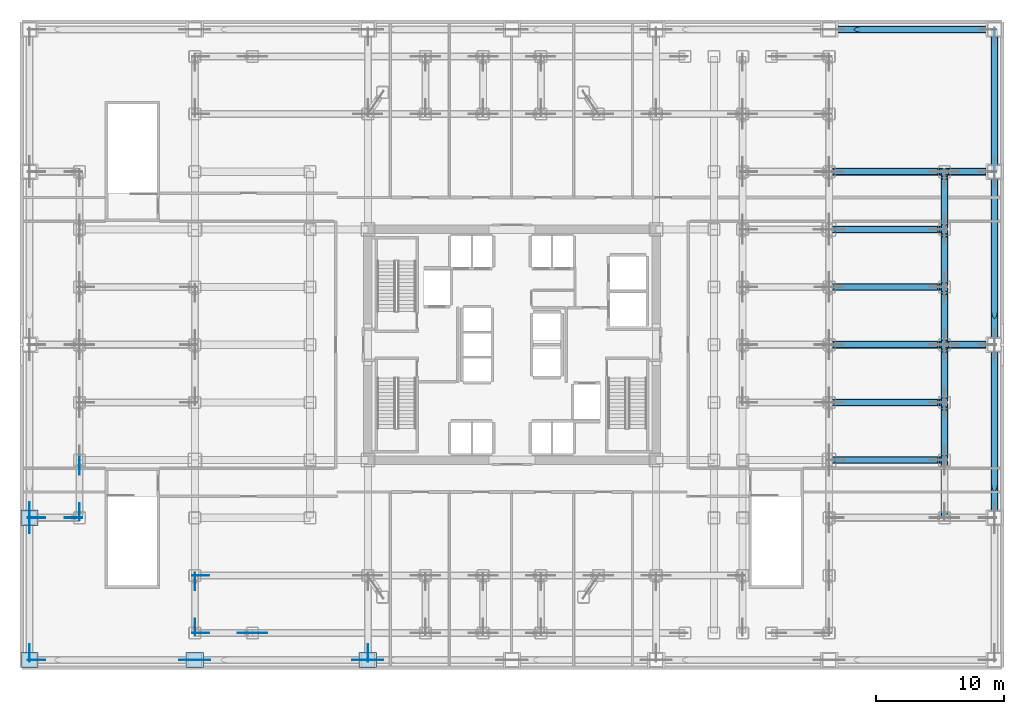
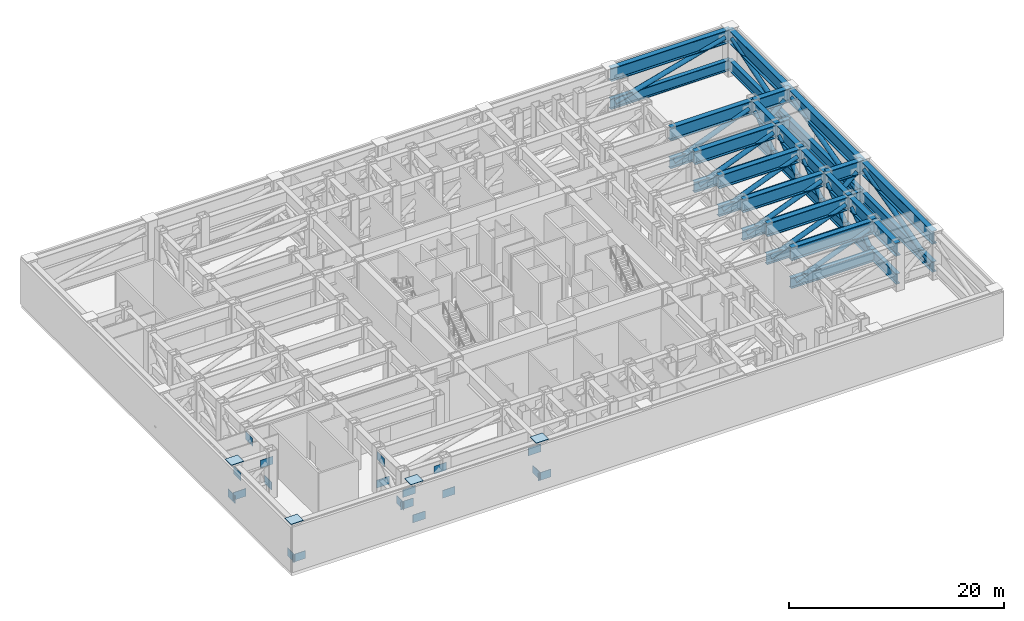
# One storey, part 5 of 17: 36 beams, 23 plates, 17 members.
"""IFC4 building model written with IfcOpenShell, lengths in metres."""

from ifc_helpers import new_model, si_unit, direction, frame, origin, origin_2d, place, context, subcontext, project, spatial, rectangle, hollow_circle, i_section, extrude, source, transform, mapped, material, layer, layer_set, material_profile, profile_set, type_object, element, save


model = new_model("IFC4")

# Units and contexts
model_context = context("Model", 3, precision=1e-05, world=origin(), true_north=direction((0.0, 1.0)))
body_context = subcontext(model_context, "Body", "Model", "MODEL_VIEW")
ifc_project = project(units=[si_unit("LENGTHUNIT", "METRE"), si_unit("AREAUNIT", "SQUARE_METRE"), si_unit("VOLUMEUNIT", "CUBIC_METRE"), si_unit("PLANEANGLEUNIT", "RADIAN"), si_unit("MASSUNIT", "GRAM", prefix="KILO")], contexts=[model_context])

# Site, building, storey
site_placement = place(None, origin())
site = spatial("IfcSite", under=ifc_project, at=site_placement, CompositionType="ELEMENT")
building_placement = place(site_placement, origin())
building = spatial("IfcBuilding", under=site, at=building_placement, Name="Nefas-Gora Pilgrimage Tower", CompositionType="ELEMENT")
storey_placement = place(building_placement, frame((0.0, 0.0, 27.60009765625)))
storey = spatial("IfcBuildingStorey", under=building, at=storey_placement, Name="L05", CompositionType="ELEMENT", Elevation=27.60009765625)

# Beams
ifc_material = material(Name="Steel S460", Category="steel")
ifc_material_profile_1 = material_profile(ifc_material, i_section(OverallWidth=0.550048828125, OverallDepth=1.5, WebThickness=0.031982421875, FlangeThickness=0.06005859375, FilletRadius=0.02392578125, at=origin_2d()), Name="WPG 1500x550x32x60")
ifc_profile_set_1 = profile_set([ifc_material_profile_1], Name="Steel S460")
beam_type_1 = type_object("IfcBeamType", Name="BM-TR-1500", PredefinedType="BEAM", material=ifc_profile_set_1)
shared_shape_1 = source(origin(), body_context, "Body", "SweptSolid", [
    extrude(i_section(OverallWidth=0.550048828125, OverallDepth=1.5, WebThickness=0.031982421875, FlangeThickness=0.06005859375, FilletRadius=0.02392578125, at=origin_2d()), origin(), (0.0, 0.0, 1.0), 13.5),
])
for number, where, z_axis, x_axis, name in (
    (1, (37.64990234375, -13.5, 4.39990234375), (0.0, 1.0, 0.0), (-1.0, 0.0, 0.0), "L05 Transfer Truss Top Chord TB-01.150"),
    (2, (37.64990234375, 0.0, 4.39990234375), (0.0, 1.0, 0.0), (-1.0, 0.0, 0.0), "L05 Transfer Truss Top Chord TB-01.151"),
):
    element("IfcBeam", number, at=place(storey_placement, frame(where, z_axis=z_axis, x_axis=x_axis)), inside=storey, type_object=beam_type_1, Name=name, PredefinedType="BEAM", context=body_context, shape_type="MappedRepresentation", body=[
        mapped(shared_shape_1, transform((0.0, 0.0, 0.0), x_axis=(1.0, 0.0, 0.0), y_axis=(0.0, 1.0, 0.0), z_axis=(0.0, 0.0, 1.0), scale=1.0)),
    ])
shared_shape_2 = source(origin(), body_context, "Body", "SweptSolid", [
    extrude(i_section(OverallWidth=0.550048828125, OverallDepth=1.5, WebThickness=0.031982421875, FlangeThickness=0.06005859375, FilletRadius=0.02392578125, at=origin_2d()), origin(), (0.0, 0.0, 1.0), 11.10009765625),
])
beam_1_placement = place(storey_placement, frame((37.64990234375, 13.5, 4.39990234375), z_axis=(0.0, 1.0, 0.0), x_axis=(-1.0, 0.0, 0.0)))
element("IfcBeam", 3, at=beam_1_placement, inside=storey, type_object=beam_type_1, Name="L05 Transfer Truss Top Chord TB-01.152", PredefinedType="BEAM", context=body_context, shape_type="MappedRepresentation", body=[
    mapped(shared_shape_2, transform((0.0, 0.0, 0.0), x_axis=(1.0, 0.0, 0.0), y_axis=(0.0, 1.0, 0.0), z_axis=(0.0, 0.0, 1.0), scale=1.0)),
])
ifc_material_profile_2 = material_profile(ifc_material, i_section(OverallWidth=0.449951171875, OverallDepth=1.199951171875, WebThickness=0.028076171875, FlangeThickness=0.050048828125, FilletRadius=0.02392578125, at=origin_2d()), Name="WPG 1200x450x28x50")
ifc_profile_set_2 = profile_set([ifc_material_profile_2], Name="Steel S460")
beam_type_2 = type_object("IfcBeamType", Name="BM-TR-1200", PredefinedType="BEAM", material=ifc_profile_set_2)
shared_shape_3 = source(origin(), body_context, "Body", "SweptSolid", [
    extrude(i_section(OverallWidth=0.449951171875, OverallDepth=1.199951171875, WebThickness=0.028076171875, FlangeThickness=0.050048828125, FilletRadius=0.02392578125, at=origin_2d()), origin(), (0.0, 0.0, 1.0), 11.10009765625),
])
beam_2_placement = place(storey_placement, frame((37.64990234375, 13.5, 1.0498046875), z_axis=(0.0, 1.0, 0.0), x_axis=(-1.0, 0.0, 0.0)))
element("IfcBeam", 4, at=beam_2_placement, inside=storey, type_object=beam_type_2, Name="L05 Transfer Truss Bottom Chord TB-02.152", PredefinedType="BEAM", context=body_context, shape_type="MappedRepresentation", body=[
    mapped(shared_shape_3, transform((0.0, 0.0, 0.0), x_axis=(1.0, 0.0, 0.0), y_axis=(0.0, 1.0, 0.0), z_axis=(0.0, 0.0, 1.0), scale=1.0)),
])

# Member
ifc_material_profile_3 = material_profile(ifc_material, hollow_circle(Radius=0.25390625, WallThickness=0.031982421875, at=origin_2d()), Name="CHS 508x32")
ifc_profile_set_3 = profile_set([ifc_material_profile_3], Name="Steel S460")
member_type = type_object("IfcMemberType", Name="MEM-TRUSS-508", PredefinedType="BRACE", material=ifc_profile_set_3)
shared_shape_4 = source(origin(), body_context, "Body", "SweptSolid", [
    extrude(hollow_circle(Radius=0.25390625, WallThickness=0.031982421875, at=origin_2d()), origin(), (0.0, 0.0, 1.0), 10.524169921875),
])
member_1_placement = place(storey_placement, frame((37.64990234375, 14.0380859375, 1.02197265625), z_axis=(0.0, 0.952475042188, 0.304616634492), x_axis=(-1.0, 0.0, 0.0)))
element("IfcMember", 5, at=member_1_placement, inside=storey, type_object=member_type, Name="L05 Transfer Truss Web Diagonal TBR-01.152", PredefinedType="BRACE", context=body_context, shape_type="MappedRepresentation", body=[
    mapped(shared_shape_4, transform((0.0, 0.0, 0.0), x_axis=(1.0, 0.0, 0.0), y_axis=(0.0, 1.0, 0.0), z_axis=(0.0, 0.0, 1.0), scale=1.0)),
])

# Beams
shared_shape_5 = source(origin(), body_context, "Body", "SweptSolid", [
    extrude(i_section(OverallWidth=0.550048828125, OverallDepth=1.5, WebThickness=0.031982421875, FlangeThickness=0.06005859375, FilletRadius=0.02392578125, at=origin_2d()), origin(), (0.0, 0.0, 1.0), 12.89990234375),
])
beam_3_placement = place(storey_placement, frame((24.75, 24.60009765625, 4.39990234375), z_axis=(1.0, 0.0, 0.0), x_axis=(0.0, 1.0, 0.0)))
element("IfcBeam", 6, at=beam_3_placement, inside=storey, type_object=beam_type_1, Name="L05 Transfer Truss Top Chord TB-01.139", PredefinedType="BEAM", context=body_context, shape_type="MappedRepresentation", body=[
    mapped(shared_shape_5, transform((0.0, 0.0, 0.0), x_axis=(1.0, 0.0, 0.0), y_axis=(0.0, 1.0, 0.0), z_axis=(0.0, 0.0, 1.0), scale=1.0)),
])
shared_shape_6 = source(origin(), body_context, "Body", "SweptSolid", [
    extrude(i_section(OverallWidth=0.449951171875, OverallDepth=1.199951171875, WebThickness=0.028076171875, FlangeThickness=0.050048828125, FilletRadius=0.02392578125, at=origin_2d()), origin(), (0.0, 0.0, 1.0), 12.89990234375),
])
beam_4_placement = place(storey_placement, frame((24.75, 24.60009765625, 1.0498046875), z_axis=(1.0, 0.0, 0.0), x_axis=(0.0, 1.0, 0.0)))
element("IfcBeam", 7, at=beam_4_placement, inside=storey, type_object=beam_type_2, Name="L05 Transfer Truss Bottom Chord TB-02.139", PredefinedType="BEAM", context=body_context, shape_type="MappedRepresentation", body=[
    mapped(shared_shape_6, transform((0.0, 0.0, 0.0), x_axis=(1.0, 0.0, 0.0), y_axis=(0.0, 1.0, 0.0), z_axis=(0.0, 0.0, 1.0), scale=1.0)),
])

# Member
shared_shape_7 = source(origin(), body_context, "Body", "SweptSolid", [
    extrude(hollow_circle(Radius=0.25390625, WallThickness=0.031982421875, at=origin_2d()), origin(), (0.0, 0.0, 1.0), 12.263427734375),
])
member_2_placement = place(storey_placement, frame((25.2880859375, 24.60009765625, 0.998046875), z_axis=(0.964162244211, 0.0, 0.26531333709), x_axis=(0.0, 1.0, 0.0)))
element("IfcMember", 8, at=member_2_placement, inside=storey, type_object=member_type, Name="L05 Transfer Truss Web Diagonal TBR-01.139", PredefinedType="BRACE", context=body_context, shape_type="MappedRepresentation", body=[
    mapped(shared_shape_7, transform((0.0, 0.0, 0.0), x_axis=(1.0, 0.0, 0.0), y_axis=(0.0, 1.0, 0.0), z_axis=(0.0, 0.0, 1.0), scale=1.0)),
])

# Beams
shared_shape_8 = source(origin(), body_context, "Body", "SweptSolid", [
    extrude(i_section(OverallWidth=0.449951171875, OverallDepth=1.199951171875, WebThickness=0.028076171875, FlangeThickness=0.050048828125, FilletRadius=0.02392578125, at=origin_2d()), origin(), (0.0, 0.0, 1.0), 13.5),
])
for number, where, z_axis, x_axis, name in (
    (9, (37.64990234375, -13.5, 1.0498046875), (0.0, 1.0, 0.0), (-1.0, 0.0, 0.0), "L05 Transfer Truss Bottom Chord TB-02.150"),
    (10, (37.64990234375, 0.0, 1.0498046875), (0.0, 1.0, 0.0), (-1.0, 0.0, 0.0), "L05 Transfer Truss Bottom Chord TB-02.151"),
):
    element("IfcBeam", number, at=place(storey_placement, frame(where, z_axis=z_axis, x_axis=x_axis)), inside=storey, type_object=beam_type_2, Name=name, PredefinedType="BEAM", context=body_context, shape_type="MappedRepresentation", body=[
        mapped(shared_shape_8, transform((0.0, 0.0, 0.0), x_axis=(1.0, 0.0, 0.0), y_axis=(0.0, 1.0, 0.0), z_axis=(0.0, 0.0, 1.0), scale=1.0)),
    ])

# Members
shared_shape_9 = source(origin(), body_context, "Body", "SweptSolid", [
    extrude(hollow_circle(Radius=0.25390625, WallThickness=0.031982421875, at=origin_2d()), origin(), (0.0, 0.0, 1.0), 12.84619140625),
])
for number, where, z_axis, x_axis, name in (
    (11, (37.64990234375, -12.9619140625, 0.991455078125), (0.0, 0.967124000788, 0.254305263609), (-1.0, 0.0, 0.0), "L05 Transfer Truss Web Diagonal TBR-01.150"),
    (12, (37.64990234375, 0.5380859375, 0.991455078125), (0.0, 0.967124000788, 0.254305263609), (-1.0, 0.0, 0.0), "L05 Transfer Truss Web Diagonal TBR-01.151"),
):
    element("IfcMember", number, at=place(storey_placement, frame(where, z_axis=z_axis, x_axis=x_axis)), inside=storey, type_object=member_type, Name=name, PredefinedType="BRACE", context=body_context, shape_type="MappedRepresentation", body=[
        mapped(shared_shape_9, transform((0.0, 0.0, 0.0), x_axis=(1.0, 0.0, 0.0), y_axis=(0.0, 1.0, 0.0), z_axis=(0.0, 0.0, 1.0), scale=1.0)),
    ])

# Beams
shared_shape_10 = source(origin(), body_context, "Body", "SweptSolid", [
    extrude(i_section(OverallWidth=0.550048828125, OverallDepth=1.5, WebThickness=0.031982421875, FlangeThickness=0.06005859375, FilletRadius=0.02392578125, at=origin_2d()), origin(), (0.0, 0.0, 1.0), 3.89990234375),
])
for number, where, z_axis, x_axis, name in (
    (13, (33.75, 0.0, 4.39990234375), (1.0, 0.0, 0.0), (0.0, 1.0, 0.0), "L05 Transfer Truss Top Chord TB-01.145"),
    (14, (33.75, 13.5, 4.39990234375), (1.0, 0.0, 0.0), (0.0, 1.0, 0.0), "L05 Transfer Truss Top Chord TB-01.148"),
):
    element("IfcBeam", number, at=place(storey_placement, frame(where, z_axis=z_axis, x_axis=x_axis)), inside=storey, type_object=beam_type_1, Name=name, PredefinedType="BEAM", context=body_context, shape_type="MappedRepresentation", body=[
        mapped(shared_shape_10, transform((0.0, 0.0, 0.0), x_axis=(1.0, 0.0, 0.0), y_axis=(0.0, 1.0, 0.0), z_axis=(0.0, 0.0, 1.0), scale=1.0)),
    ])
shared_shape_11 = source(origin(), body_context, "Body", "SweptSolid", [
    extrude(i_section(OverallWidth=0.449951171875, OverallDepth=1.199951171875, WebThickness=0.028076171875, FlangeThickness=0.050048828125, FilletRadius=0.02392578125, at=origin_2d()), origin(), (0.0, 0.0, 1.0), 3.89990234375),
])
for number, where, z_axis, x_axis, name in (
    (15, (33.75, 0.0, 1.0498046875), (1.0, 0.0, 0.0), (0.0, 1.0, 0.0), "L05 Transfer Truss Bottom Chord TB-02.145"),
    (16, (33.75, 13.5, 1.0498046875), (1.0, 0.0, 0.0), (0.0, 1.0, 0.0), "L05 Transfer Truss Bottom Chord TB-02.148"),
):
    element("IfcBeam", number, at=place(storey_placement, frame(where, z_axis=z_axis, x_axis=x_axis)), inside=storey, type_object=beam_type_2, Name=name, PredefinedType="BEAM", context=body_context, shape_type="MappedRepresentation", body=[
        mapped(shared_shape_11, transform((0.0, 0.0, 0.0), x_axis=(1.0, 0.0, 0.0), y_axis=(0.0, 1.0, 0.0), z_axis=(0.0, 0.0, 1.0), scale=1.0)),
    ])

# Members
shared_shape_12 = source(origin(), body_context, "Body", "SweptSolid", [
    extrude(hollow_circle(Radius=0.25390625, WallThickness=0.031982421875, at=origin_2d()), origin(), (0.0, 0.0, 1.0), 3.92041015625),
])
for number, where, z_axis, x_axis, name in (
    (17, (34.212890625, 0.0, 1.271240234375), (0.739520063615, 0.0, 0.673134515168), (0.0, 1.0, 0.0), "L05 Transfer Truss Web Diagonal TBR-01.145"),
    (18, (34.212890625, 13.5, 1.271240234375), (0.739520063615, 0.0, 0.673134515168), (0.0, 1.0, 0.0), "L05 Transfer Truss Web Diagonal TBR-01.148"),
):
    element("IfcMember", number, at=place(storey_placement, frame(where, z_axis=z_axis, x_axis=x_axis)), inside=storey, type_object=member_type, Name=name, PredefinedType="BRACE", context=body_context, shape_type="MappedRepresentation", body=[
        mapped(shared_shape_12, transform((0.0, 0.0, 0.0), x_axis=(1.0, 0.0, 0.0), y_axis=(0.0, 1.0, 0.0), z_axis=(0.0, 0.0, 1.0), scale=1.0)),
    ])

# Beams
shared_shape_13 = source(origin(), body_context, "Body", "SweptSolid", [
    extrude(i_section(OverallWidth=0.550048828125, OverallDepth=1.5, WebThickness=0.031982421875, FlangeThickness=0.06005859375, FilletRadius=0.02392578125, at=origin_2d()), origin(), (0.0, 0.0, 1.0), 4.5),
])
for number, where, z_axis, x_axis, name in (
    (19, (33.75, -13.5, 4.39990234375), (0.0, 1.0, 0.0), (-1.0, 0.0, 0.0), "L05 Transfer Truss Top Chord TB-01.140"),
    (20, (33.75, -9.0, 4.39990234375), (0.0, 1.0, 0.0), (-1.0, 0.0, 0.0), "L05 Transfer Truss Top Chord TB-01.142"),
    (21, (33.75, -4.5, 4.39990234375), (0.0, 1.0, 0.0), (-1.0, 0.0, 0.0), "L05 Transfer Truss Top Chord TB-01.143"),
    (22, (33.75, 0.0, 4.39990234375), (0.0, 1.0, 0.0), (-1.0, 0.0, 0.0), "L05 Transfer Truss Top Chord TB-01.144"),
    (23, (33.75, 4.5, 4.39990234375), (0.0, 1.0, 0.0), (-1.0, 0.0, 0.0), "L05 Transfer Truss Top Chord TB-01.146"),
    (24, (33.75, 9.0, 4.39990234375), (0.0, 1.0, 0.0), (-1.0, 0.0, 0.0), "L05 Transfer Truss Top Chord TB-01.147"),
):
    element("IfcBeam", number, at=place(storey_placement, frame(where, z_axis=z_axis, x_axis=x_axis)), inside=storey, type_object=beam_type_1, Name=name, PredefinedType="BEAM", context=body_context, shape_type="MappedRepresentation", body=[
        mapped(shared_shape_13, transform((0.0, 0.0, 0.0), x_axis=(1.0, 0.0, 0.0), y_axis=(0.0, 1.0, 0.0), z_axis=(0.0, 0.0, 1.0), scale=1.0)),
    ])
shared_shape_14 = source(origin(), body_context, "Body", "SweptSolid", [
    extrude(i_section(OverallWidth=0.449951171875, OverallDepth=1.199951171875, WebThickness=0.028076171875, FlangeThickness=0.050048828125, FilletRadius=0.02392578125, at=origin_2d()), origin(), (0.0, 0.0, 1.0), 4.5),
])
for number, where, z_axis, x_axis, name in (
    (25, (33.75, -13.5, 1.0498046875), (0.0, 1.0, 0.0), (-1.0, 0.0, 0.0), "L05 Transfer Truss Bottom Chord TB-02.140"),
    (26, (33.75, -9.0, 1.0498046875), (0.0, 1.0, 0.0), (-1.0, 0.0, 0.0), "L05 Transfer Truss Bottom Chord TB-02.142"),
    (27, (33.75, -4.5, 1.0498046875), (0.0, 1.0, 0.0), (-1.0, 0.0, 0.0), "L05 Transfer Truss Bottom Chord TB-02.143"),
    (28, (33.75, 0.0, 1.0498046875), (0.0, 1.0, 0.0), (-1.0, 0.0, 0.0), "L05 Transfer Truss Bottom Chord TB-02.144"),
    (29, (33.75, 4.5, 1.0498046875), (0.0, 1.0, 0.0), (-1.0, 0.0, 0.0), "L05 Transfer Truss Bottom Chord TB-02.146"),
    (30, (33.75, 9.0, 1.0498046875), (0.0, 1.0, 0.0), (-1.0, 0.0, 0.0), "L05 Transfer Truss Bottom Chord TB-02.147"),
):
    element("IfcBeam", number, at=place(storey_placement, frame(where, z_axis=z_axis, x_axis=x_axis)), inside=storey, type_object=beam_type_2, Name=name, PredefinedType="BEAM", context=body_context, shape_type="MappedRepresentation", body=[
        mapped(shared_shape_14, transform((0.0, 0.0, 0.0), x_axis=(1.0, 0.0, 0.0), y_axis=(0.0, 1.0, 0.0), z_axis=(0.0, 0.0, 1.0), scale=1.0)),
    ])

# Members
shared_shape_15 = source(origin(), body_context, "Body", "SweptSolid", [
    extrude(hollow_circle(Radius=0.25390625, WallThickness=0.031982421875, at=origin_2d()), origin(), (0.0, 0.0, 1.0), 4.552490234375),
])
for number, where, z_axis, x_axis, name in (
    (31, (33.75, -8.537109375, 1.215087890625), (0.0, 0.785114702189, 0.619350389042), (-1.0, 0.0, 0.0), "L05 Transfer Truss Web Diagonal TBR-01.142"),
    (32, (33.75, -4.037109375, 1.215087890625), (0.0, 0.785114702189, 0.619350389042), (-1.0, 0.0, 0.0), "L05 Transfer Truss Web Diagonal TBR-01.143"),
    (33, (33.75, 0.462890625, 1.215087890625), (0.0, 0.785114702189, 0.619350389042), (-1.0, 0.0, 0.0), "L05 Transfer Truss Web Diagonal TBR-01.144"),
    (34, (33.75, 4.962890625, 1.215087890625), (0.0, 0.785114702189, 0.619350389042), (-1.0, 0.0, 0.0), "L05 Transfer Truss Web Diagonal TBR-01.146"),
    (35, (33.75, 9.462890625, 1.215087890625), (0.0, 0.785114702189, 0.619350389042), (-1.0, 0.0, 0.0), "L05 Transfer Truss Web Diagonal TBR-01.147"),
):
    element("IfcMember", number, at=place(storey_placement, frame(where, z_axis=z_axis, x_axis=x_axis)), inside=storey, type_object=member_type, Name=name, PredefinedType="BRACE", context=body_context, shape_type="MappedRepresentation", body=[
        mapped(shared_shape_15, transform((0.0, 0.0, 0.0), x_axis=(1.0, 0.0, 0.0), y_axis=(0.0, 1.0, 0.0), z_axis=(0.0, 0.0, 1.0), scale=1.0)),
    ])

# Beams
shared_shape_16 = source(origin(), body_context, "Body", "SweptSolid", [
    extrude(i_section(OverallWidth=0.550048828125, OverallDepth=1.5, WebThickness=0.031982421875, FlangeThickness=0.06005859375, FilletRadius=0.02392578125, at=origin_2d()), origin(), (0.0, 0.0, 1.0), 9.0),
])
for number, where, z_axis, x_axis, name in (
    (36, (24.75, -9.0, 4.39990234375), (1.0, 0.0, 0.0), (0.0, 1.0, 0.0), "L05 Transfer Truss Top Chord TB-01.127"),
    (37, (24.75, -4.5, 4.39990234375), (1.0, 0.0, 0.0), (0.0, 1.0, 0.0), "L05 Transfer Truss Top Chord TB-01.129"),
    (38, (24.75, 0.0, 4.39990234375), (1.0, 0.0, 0.0), (0.0, 1.0, 0.0), "L05 Transfer Truss Top Chord TB-01.131"),
    (39, (24.75, 4.5, 4.39990234375), (1.0, 0.0, 0.0), (0.0, 1.0, 0.0), "L05 Transfer Truss Top Chord TB-01.133"),
    (40, (24.75, 9.0, 4.39990234375), (1.0, 0.0, 0.0), (0.0, 1.0, 0.0), "L05 Transfer Truss Top Chord TB-01.135"),
    (41, (24.75, 13.5, 4.39990234375), (1.0, 0.0, 0.0), (0.0, 1.0, 0.0), "L05 Transfer Truss Top Chord TB-01.137"),
):
    element("IfcBeam", number, at=place(storey_placement, frame(where, z_axis=z_axis, x_axis=x_axis)), inside=storey, type_object=beam_type_1, Name=name, PredefinedType="BEAM", context=body_context, shape_type="MappedRepresentation", body=[
        mapped(shared_shape_16, transform((0.0, 0.0, 0.0), x_axis=(1.0, 0.0, 0.0), y_axis=(0.0, 1.0, 0.0), z_axis=(0.0, 0.0, 1.0), scale=1.0)),
    ])
shared_shape_17 = source(origin(), body_context, "Body", "SweptSolid", [
    extrude(i_section(OverallWidth=0.449951171875, OverallDepth=1.199951171875, WebThickness=0.028076171875, FlangeThickness=0.050048828125, FilletRadius=0.02392578125, at=origin_2d()), origin(), (0.0, 0.0, 1.0), 9.0),
])
for number, where, z_axis, x_axis, name in (
    (42, (24.75, -9.0, 1.0498046875), (1.0, 0.0, 0.0), (0.0, 1.0, 0.0), "L05 Transfer Truss Bottom Chord TB-02.127"),
    (43, (24.75, -4.5, 1.0498046875), (1.0, 0.0, 0.0), (0.0, 1.0, 0.0), "L05 Transfer Truss Bottom Chord TB-02.129"),
    (44, (24.75, 0.0, 1.0498046875), (1.0, 0.0, 0.0), (0.0, 1.0, 0.0), "L05 Transfer Truss Bottom Chord TB-02.131"),
    (45, (24.75, 4.5, 1.0498046875), (1.0, 0.0, 0.0), (0.0, 1.0, 0.0), "L05 Transfer Truss Bottom Chord TB-02.133"),
    (46, (24.75, 9.0, 1.0498046875), (1.0, 0.0, 0.0), (0.0, 1.0, 0.0), "L05 Transfer Truss Bottom Chord TB-02.135"),
    (47, (24.75, 13.5, 1.0498046875), (1.0, 0.0, 0.0), (0.0, 1.0, 0.0), "L05 Transfer Truss Bottom Chord TB-02.137"),
):
    element("IfcBeam", number, at=place(storey_placement, frame(where, z_axis=z_axis, x_axis=x_axis)), inside=storey, type_object=beam_type_2, Name=name, PredefinedType="BEAM", context=body_context, shape_type="MappedRepresentation", body=[
        mapped(shared_shape_17, transform((0.0, 0.0, 0.0), x_axis=(1.0, 0.0, 0.0), y_axis=(0.0, 1.0, 0.0), z_axis=(0.0, 0.0, 1.0), scale=1.0)),
    ])

# Members
shared_shape_18 = source(origin(), body_context, "Body", "SweptSolid", [
    extrude(hollow_circle(Radius=0.25390625, WallThickness=0.031982421875, at=origin_2d()), origin(), (0.0, 0.0, 1.0), 8.6796875),
])
for number, where, z_axis, x_axis, name in (
    (48, (25.212890625, -4.5, 1.032470703125), (0.930248726391, 0.0, 0.366929566877), (0.0, 1.0, 0.0), "L05 Transfer Truss Web Diagonal TBR-01.129"),
    (49, (25.212890625, 0.0, 1.032470703125), (0.930248726391, 0.0, 0.366929566877), (0.0, 1.0, 0.0), "L05 Transfer Truss Web Diagonal TBR-01.131"),
    (50, (25.212890625, 4.5, 1.032470703125), (0.930248726391, 0.0, 0.366929566877), (0.0, 1.0, 0.0), "L05 Transfer Truss Web Diagonal TBR-01.133"),
    (51, (25.212890625, 13.5, 1.032470703125), (0.930248726391, 0.0, 0.366929566877), (0.0, 1.0, 0.0), "L05 Transfer Truss Web Diagonal TBR-01.137"),
):
    element("IfcMember", number, at=place(storey_placement, frame(where, z_axis=z_axis, x_axis=x_axis)), inside=storey, type_object=member_type, Name=name, PredefinedType="BRACE", context=body_context, shape_type="MappedRepresentation", body=[
        mapped(shared_shape_18, transform((0.0, 0.0, 0.0), x_axis=(1.0, 0.0, 0.0), y_axis=(0.0, 1.0, 0.0), z_axis=(0.0, 0.0, 1.0), scale=1.0)),
    ])
shared_shape_19 = source(origin(), body_context, "Body", "SweptSolid", [
    extrude(hollow_circle(Radius=0.25390625, WallThickness=0.031982421875, at=origin_2d()), origin(), (0.0, 0.0, 1.0), 8.598876953125),
])
for number, where, z_axis, x_axis, name in (
    (52, (25.2880859375, -9.0, 1.06201171875), (0.930243994364, 0.0, 0.366941563398), (0.0, 1.0, 0.0), "L05 Transfer Truss Web Diagonal TBR-01.127"),
    (53, (25.2880859375, 9.0, 1.06201171875), (0.930243994364, 0.0, 0.366941563398), (0.0, 1.0, 0.0), "L05 Transfer Truss Web Diagonal TBR-01.135"),
):
    element("IfcMember", number, at=place(storey_placement, frame(where, z_axis=z_axis, x_axis=x_axis)), inside=storey, type_object=member_type, Name=name, PredefinedType="BRACE", context=body_context, shape_type="MappedRepresentation", body=[
        mapped(shared_shape_19, transform((0.0, 0.0, 0.0), x_axis=(1.0, 0.0, 0.0), y_axis=(0.0, 1.0, 0.0), z_axis=(0.0, 0.0, 1.0), scale=1.0)),
    ])

# Plates
ifc_layer_1 = layer(ifc_material, 0.0380859375)
ifc_layer_set_1 = layer_set([ifc_layer_1], Name="Steel S460")
plate_type_1 = type_object("IfcPlateType", Name="PLT-NODE-N02", PredefinedType="USERDEFINED", material=ifc_layer_set_1)
shared_shape_20 = source(origin(), body_context, "Body", "SweptSolid", [
    extrude(rectangle(XDim=1.35009765625, YDim=0.044921875, at=origin_2d()), origin(), (0.0, 0.0, 1.0), 0.89990234375),
])
plate_1_placement = place(storey_placement, frame((-37.64990234375, -24.06201171875, 0.572021484375), z_axis=(0.0, 0.0, 1.0), x_axis=(0.0, 1.0, 0.0)))
element("IfcPlate", 54, at=plate_1_placement, inside=storey, type_object=plate_type_1, Name="Structural Node Gusset Plate N02 (L05)", ObjectType="GUSSET_PLATE", PredefinedType="USERDEFINED", context=body_context, shape_type="MappedRepresentation", body=[
    mapped(shared_shape_20, transform((0.0, 0.0, 0.0), x_axis=(1.0, 0.0, 0.0), y_axis=(0.0, 1.0, 0.0), z_axis=(0.0, 0.0, 1.0), scale=1.0)),
])
ifc_layer_2 = layer(ifc_material, 0.0400390625)
ifc_layer_set_2 = layer_set([ifc_layer_2], Name="Steel S460")
plate_type_2 = type_object("IfcPlateType", Name="PLT-NODE-N03", PredefinedType="USERDEFINED", material=ifc_layer_set_2)
plate_2_placement = place(storey_placement, frame((-37.64990234375, -14.0380859375, 3.77783203125), z_axis=(0.0, 0.0, 1.0), x_axis=(0.0, 1.0, 0.0)))
element("IfcPlate", 55, at=plate_2_placement, inside=storey, type_object=plate_type_2, Name="Structural Node Gusset Plate N03 (L05)", ObjectType="GUSSET_PLATE", PredefinedType="USERDEFINED", context=body_context, shape_type="MappedRepresentation", body=[
    mapped(shared_shape_20, transform((0.0, 0.0, 0.0), x_axis=(1.0, 0.0, 0.0), y_axis=(0.0, 1.0, 0.0), z_axis=(0.0, 0.0, 1.0), scale=1.0)),
])
plate_3_placement = place(storey_placement, frame((-37.112060546875, -24.60009765625, 0.548095703125), z_axis=(0.0, 0.0, 1.0), x_axis=(1.0, 0.0, 0.0)))
element("IfcPlate", 56, at=plate_3_placement, inside=storey, type_object=plate_type_1, Name="Structural Node Gusset Plate N02 (L05)", ObjectType="GUSSET_PLATE", PredefinedType="USERDEFINED", context=body_context, shape_type="MappedRepresentation", body=[
    mapped(shared_shape_20, transform((0.0, 0.0, 0.0), x_axis=(1.0, 0.0, 0.0), y_axis=(0.0, 1.0, 0.0), z_axis=(0.0, 0.0, 1.0), scale=1.0)),
])
plate_4_placement = place(storey_placement, frame((-25.2880859375, -24.60009765625, 3.8017578125), z_axis=(0.0, 0.0, 1.0), x_axis=(1.0, 0.0, 0.0)))
element("IfcPlate", 57, at=plate_4_placement, inside=storey, type_object=plate_type_2, Name="Structural Node Gusset Plate N03 (L05)", ObjectType="GUSSET_PLATE", PredefinedType="USERDEFINED", context=body_context, shape_type="MappedRepresentation", body=[
    mapped(shared_shape_20, transform((0.0, 0.0, 0.0), x_axis=(1.0, 0.0, 0.0), y_axis=(0.0, 1.0, 0.0), z_axis=(0.0, 0.0, 1.0), scale=1.0)),
])
for number, where, z_axis, x_axis, name in (
    (58, (-37.64990234375, -12.9619140625, 0.54150390625), (0.0, 0.0, 1.0), (0.0, 1.0, 0.0), "Structural Node Gusset Plate N02 (L05)"),
    (59, (-37.112060546875, -13.5, 0.8896484375), (0.0, 0.0, 1.0), (1.0, 0.0, 0.0), "Structural Node Gusset Plate N02 (L05)"),
):
    element("IfcPlate", number, at=place(storey_placement, frame(where, z_axis=z_axis, x_axis=x_axis)), inside=storey, type_object=plate_type_1, Name=name, ObjectType="GUSSET_PLATE", PredefinedType="USERDEFINED", context=body_context, shape_type="MappedRepresentation", body=[
        mapped(shared_shape_20, transform((0.0, 0.0, 0.0), x_axis=(1.0, 0.0, 0.0), y_axis=(0.0, 1.0, 0.0), z_axis=(0.0, 0.0, 1.0), scale=1.0)),
    ])
plate_5_placement = place(storey_placement, frame((-34.212890625, -13.5, 3.528564453125), z_axis=(0.0, 0.0, 1.0), x_axis=(1.0, 0.0, 0.0)))
element("IfcPlate", 60, at=plate_5_placement, inside=storey, type_object=plate_type_2, Name="Structural Node Gusset Plate N03 (L05)", ObjectType="GUSSET_PLATE", PredefinedType="USERDEFINED", context=body_context, shape_type="MappedRepresentation", body=[
    mapped(shared_shape_20, transform((0.0, 0.0, 0.0), x_axis=(1.0, 0.0, 0.0), y_axis=(0.0, 1.0, 0.0), z_axis=(0.0, 0.0, 1.0), scale=1.0)),
])
plate_6_placement = place(storey_placement, frame((-33.75, -13.037109375, 0.76513671875), z_axis=(0.0, 0.0, 1.0), x_axis=(0.0, 1.0, 0.0)))
element("IfcPlate", 61, at=plate_6_placement, inside=storey, type_object=plate_type_1, Name="Structural Node Gusset Plate N02 (L05)", ObjectType="GUSSET_PLATE", PredefinedType="USERDEFINED", context=body_context, shape_type="MappedRepresentation", body=[
    mapped(shared_shape_20, transform((0.0, 0.0, 0.0), x_axis=(1.0, 0.0, 0.0), y_axis=(0.0, 1.0, 0.0), z_axis=(0.0, 0.0, 1.0), scale=1.0)),
])
plate_7_placement = place(storey_placement, frame((-33.75, -9.462890625, 3.584716796875), z_axis=(0.0, 0.0, 1.0), x_axis=(0.0, 1.0, 0.0)))
element("IfcPlate", 62, at=plate_7_placement, inside=storey, type_object=plate_type_2, Name="Structural Node Gusset Plate N03 (L05)", ObjectType="GUSSET_PLATE", PredefinedType="USERDEFINED", context=body_context, shape_type="MappedRepresentation", body=[
    mapped(shared_shape_20, transform((0.0, 0.0, 0.0), x_axis=(1.0, 0.0, 0.0), y_axis=(0.0, 1.0, 0.0), z_axis=(0.0, 0.0, 1.0), scale=1.0)),
])
plate_8_placement = place(storey_placement, frame((-24.2119140625, -24.60009765625, 0.54150390625), z_axis=(0.0, 0.0, 1.0), x_axis=(1.0, 0.0, 0.0)))
element("IfcPlate", 63, at=plate_8_placement, inside=storey, type_object=plate_type_1, Name="Structural Node Gusset Plate N02 (L05)", ObjectType="GUSSET_PLATE", PredefinedType="USERDEFINED", context=body_context, shape_type="MappedRepresentation", body=[
    mapped(shared_shape_20, transform((0.0, 0.0, 0.0), x_axis=(1.0, 0.0, 0.0), y_axis=(0.0, 1.0, 0.0), z_axis=(0.0, 0.0, 1.0), scale=1.0)),
])
plate_9_placement = place(storey_placement, frame((-11.7880859375, -24.60009765625, 3.808349609375), z_axis=(0.0, 0.0, 1.0), x_axis=(1.0, 0.0, 0.0)))
element("IfcPlate", 64, at=plate_9_placement, inside=storey, type_object=plate_type_2, Name="Structural Node Gusset Plate N03 (L05)", ObjectType="GUSSET_PLATE", PredefinedType="USERDEFINED", context=body_context, shape_type="MappedRepresentation", body=[
    mapped(shared_shape_20, transform((0.0, 0.0, 0.0), x_axis=(1.0, 0.0, 0.0), y_axis=(0.0, 1.0, 0.0), z_axis=(0.0, 0.0, 1.0), scale=1.0)),
])
plate_10_placement = place(storey_placement, frame((-24.75, -22.037109375, 0.76513671875), z_axis=(0.0, 0.0, 1.0), x_axis=(0.0, 1.0, 0.0)))
element("IfcPlate", 65, at=plate_10_placement, inside=storey, type_object=plate_type_1, Name="Structural Node Gusset Plate N02 (L05)", ObjectType="GUSSET_PLATE", PredefinedType="USERDEFINED", context=body_context, shape_type="MappedRepresentation", body=[
    mapped(shared_shape_20, transform((0.0, 0.0, 0.0), x_axis=(1.0, 0.0, 0.0), y_axis=(0.0, 1.0, 0.0), z_axis=(0.0, 0.0, 1.0), scale=1.0)),
])
plate_11_placement = place(storey_placement, frame((-24.75, -18.462890625, 3.584716796875), z_axis=(0.0, 0.0, 1.0), x_axis=(0.0, 1.0, 0.0)))
element("IfcPlate", 66, at=plate_11_placement, inside=storey, type_object=plate_type_2, Name="Structural Node Gusset Plate N03 (L05)", ObjectType="GUSSET_PLATE", PredefinedType="USERDEFINED", context=body_context, shape_type="MappedRepresentation", body=[
    mapped(shared_shape_20, transform((0.0, 0.0, 0.0), x_axis=(1.0, 0.0, 0.0), y_axis=(0.0, 1.0, 0.0), z_axis=(0.0, 0.0, 1.0), scale=1.0)),
])
plate_12_placement = place(storey_placement, frame((-24.287109375, -22.5, 0.76513671875), z_axis=(0.0, 0.0, 1.0), x_axis=(1.0, 0.0, 0.0)))
element("IfcPlate", 67, at=plate_12_placement, inside=storey, type_object=plate_type_1, Name="Structural Node Gusset Plate N02 (L05)", ObjectType="GUSSET_PLATE", PredefinedType="USERDEFINED", context=body_context, shape_type="MappedRepresentation", body=[
    mapped(shared_shape_20, transform((0.0, 0.0, 0.0), x_axis=(1.0, 0.0, 0.0), y_axis=(0.0, 1.0, 0.0), z_axis=(0.0, 0.0, 1.0), scale=1.0)),
])
plate_13_placement = place(storey_placement, frame((-20.712890625, -22.5, 3.584716796875), z_axis=(0.0, 0.0, 1.0), x_axis=(1.0, 0.0, 0.0)))
element("IfcPlate", 68, at=plate_13_placement, inside=storey, type_object=plate_type_2, Name="Structural Node Gusset Plate N03 (L05)", ObjectType="GUSSET_PLATE", PredefinedType="USERDEFINED", context=body_context, shape_type="MappedRepresentation", body=[
    mapped(shared_shape_20, transform((0.0, 0.0, 0.0), x_axis=(1.0, 0.0, 0.0), y_axis=(0.0, 1.0, 0.0), z_axis=(0.0, 0.0, 1.0), scale=1.0)),
])
for number, where, z_axis, x_axis, name in (
    (69, (-24.287109375, -18.0, 0.521728515625), (0.0, 0.0, 1.0), (1.0, 0.0, 0.0), "Structural Node Gusset Plate N02 (L05)"),
    (70, (-19.787109375, -22.5, 0.521728515625), (0.0, 0.0, 1.0), (1.0, 0.0, 0.0), "Structural Node Gusset Plate N02 (L05)"),
    (71, (-11.25, -24.06201171875, 0.689453125), (0.0, 0.0, 1.0), (0.0, 1.0, 0.0), "Structural Node Gusset Plate N02 (L05)"),
    (72, (-10.7119140625, -24.60009765625, 0.56982421875), (0.0, 0.0, 1.0), (1.0, 0.0, 0.0), "Structural Node Gusset Plate N02 (L05)"),
):
    element("IfcPlate", number, at=place(storey_placement, frame(where, z_axis=z_axis, x_axis=x_axis)), inside=storey, type_object=plate_type_1, Name=name, ObjectType="GUSSET_PLATE", PredefinedType="USERDEFINED", context=body_context, shape_type="MappedRepresentation", body=[
        mapped(shared_shape_20, transform((0.0, 0.0, 0.0), x_axis=(1.0, 0.0, 0.0), y_axis=(0.0, 1.0, 0.0), z_axis=(0.0, 0.0, 1.0), scale=1.0)),
    ])
ifc_layer_3 = layer(ifc_material, 0.0400390625)
ifc_layer_set_3 = layer_set([ifc_layer_3], Name="Steel S460")
plate_type_3 = type_object("IfcPlateType", Name="PLT-ENDCAP-40", PredefinedType="SHEET", material=ifc_layer_set_3)
shared_shape_21 = source(origin(), body_context, "Body", "SweptSolid", [
    extrude(rectangle(XDim=1.342041015625, YDim=1.179931640625, at=origin_2d()), origin(), (0.0, 0.0, 1.0), 0.050048828125),
])
for number, where, z_axis, x_axis, name in (
    (73, (-37.64990234375, -24.60009765625, 5.375), (0.0, 0.0, 1.0), (1.0, 0.0, 0.0), "L05 Setback Hollow Column Top Cap Plate 1"),
    (74, (-37.64990234375, -13.5, 5.375), (0.0, 0.0, 1.0), (1.0, 0.0, 0.0), "L05 Setback Hollow Column Top Cap Plate 2"),
    (75, (-24.75, -24.60009765625, 5.375), (0.0, 0.0, 1.0), (1.0, 0.0, 0.0), "L05 Setback Hollow Column Top Cap Plate 6"),
    (76, (-11.25, -24.60009765625, 5.375), (0.0, 0.0, 1.0), (1.0, 0.0, 0.0), "L05 Setback Hollow Column Top Cap Plate 8"),
):
    element("IfcPlate", number, at=place(storey_placement, frame(where, z_axis=z_axis, x_axis=x_axis)), inside=storey, type_object=plate_type_3, Name=name, PredefinedType="SHEET", context=body_context, shape_type="MappedRepresentation", body=[
        mapped(shared_shape_21, transform((0.0, 0.0, 0.0), x_axis=(1.0, 0.0, 0.0), y_axis=(0.0, 1.0, 0.0), z_axis=(0.0, 0.0, 1.0), scale=1.0)),
    ])

save(model, "model.ifc")
